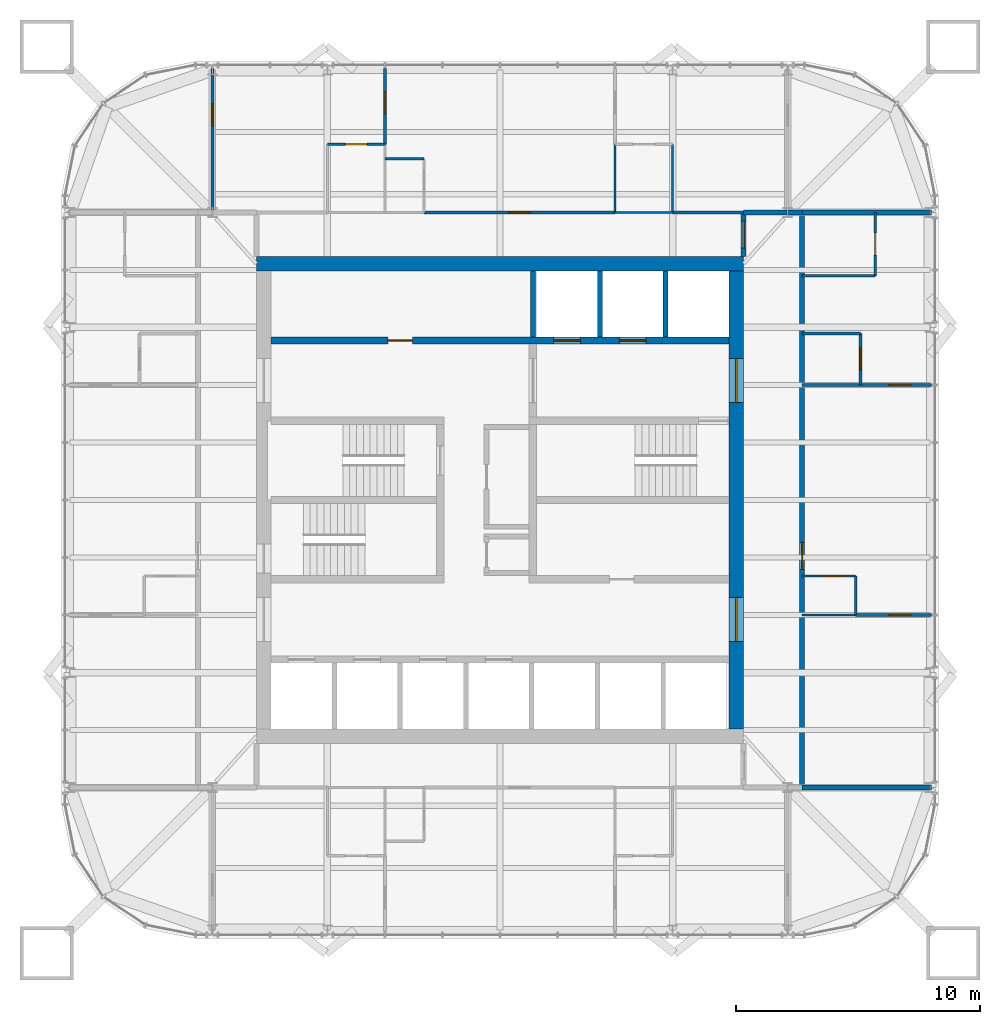
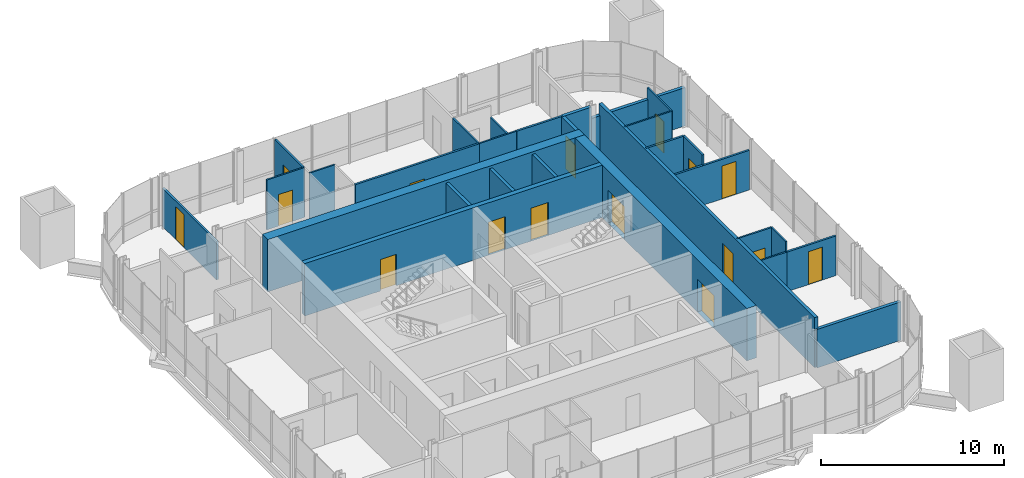
# One storey, part 15 of 17: 30 walls, 16 doors, 16 openings.
"""IFC4 building model written with IfcOpenShell, lengths in metres."""

from ifc_helpers import new_model, si_unit, direction, frame, frame_2d, origin, place, context, subcontext, project, spatial, rectangle, extrude, material, layer, layer_set, type_object, element, fill, save


model = new_model("IFC4")

# Units and contexts
model_context = context("Model", 3, precision=1e-05, world=origin(), true_north=direction((0.0, 1.0)))
body_context = subcontext(model_context, "Body", "Model", "MODEL_VIEW")
ifc_project = project(units=[si_unit("LENGTHUNIT", "METRE"), si_unit("AREAUNIT", "SQUARE_METRE"), si_unit("VOLUMEUNIT", "CUBIC_METRE"), si_unit("PLANEANGLEUNIT", "RADIAN"), si_unit("MASSUNIT", "GRAM", prefix="KILO")], contexts=[model_context])

# Site, building, storey
site_placement = place(None, origin())
site = spatial("IfcSite", under=ifc_project, at=site_placement, CompositionType="ELEMENT")
building_placement = place(site_placement, origin())
building = spatial("IfcBuilding", under=site, at=building_placement, Name="Turquesa Mirador Hotel Tower", CompositionType="ELEMENT")
storey_placement = place(building_placement, frame((0.0, 0.0, 258.199951171875)))
storey = spatial("IfcBuildingStorey", under=building, at=storey_placement, Name="L70", CompositionType="ELEMENT", Elevation=258.199951171875)

# Wall, opening, door
ifc_material_1 = material(Name="Gypsum board on steel studs", Category="steel")
ifc_layer_1 = layer(ifc_material_1, 0.10009765625)
ifc_layer_set_1 = layer_set([ifc_layer_1], Name="BATHROOM WALL 100")
wall_type_1 = type_object("IfcWallType", Name="BATHROOM WALL 100", PredefinedType="PARTITIONING", material=ifc_layer_set_1)
wall_1_placement = place(storey_placement, frame((67.39990234375, 41.8798828125, 0.0), z_axis=(0.0, 0.0, 1.0), x_axis=(1.0, 0.0, 0.0)))
wall_1 = element("IfcWall", 1, at=wall_1_placement, inside=storey, type_object=wall_type_1, Name="Partition L70 014", PredefinedType="PARTITIONING", context=body_context, shape_type="SweptSolid", body=[
    extrude(rectangle(XDim=2.2001953125, YDim=0.10009765625, at=frame_2d((1.10009765625, 0.0))), origin(), (0.0, 0.0, 1.0), 3.330078125),
])
opening_1_placement = place(wall_1_placement, frame((0.85009765625, 0.0, 0.0)))
opening_1 = element("IfcOpeningElement", 2, at=opening_1_placement, cuts=wall_1, Name="Opening D06", PredefinedType="OPENING", context=body_context, shape_type="SweptSolid", body=[
    extrude(rectangle(XDim=0.89990234375, YDim=2.10009765625, at=frame_2d((0.449951171875, 1.050048828125))), frame((0.0, 0.06005859375, 0.0), z_axis=(0.0, -1.0, 0.0), x_axis=(1.0, 0.0, 0.0)), (0.0, 0.0, 1.0), 0.1201171875),
])
ifc_material_2 = material(Name="Laminate door", Category="wood")
door_type_1 = type_object("IfcDoorType", Name="DOOR 900X2100 WC", OperationType="SINGLE_SWING_LEFT", PredefinedType="DOOR", material=ifc_material_2)
door_1_placement = place(opening_1_placement, origin())
door_1 = element("IfcDoor", 3, at=door_1_placement, inside=storey, type_object=door_type_1, Name="Door 7003W", OperationType="SINGLE_SWING_LEFT", OverallHeight=2.10009765625, OverallWidth=0.89990234375, PredefinedType="DOOR", context=body_context, shape_type="SweptSolid", body=[
    extrude(rectangle(XDim=0.89990234375, YDim=2.10009765625, at=frame_2d((0.449951171875, 1.050048828125))), frame((0.0, 0.02490234375, 0.0), z_axis=(0.0, -1.0, 0.0), x_axis=(1.0, 0.0, 0.0)), (0.0, 0.0, 1.0), 0.050048828125),
])
fill(opening_1, door_1)

# Walls
wall_2_placement = place(storey_placement, frame((67.39990234375, 40.280029296875, 0.0), z_axis=(0.0, 0.0, 1.0), x_axis=(1.0, 0.0, 0.0)))
element("IfcWall", 4, at=wall_2_placement, inside=storey, type_object=wall_type_1, Name="Partition L70 016", PredefinedType="PARTITIONING", context=body_context, shape_type="SweptSolid", body=[
    extrude(rectangle(XDim=2.2001953125, YDim=0.10009765625, at=frame_2d((1.10009765625, 0.0))), origin(), (0.0, 0.0, 1.0), 2.646728515625),
])
wall_3_placement = place(storey_placement, frame((59.719970703125, 56.800048828125, 0.0), z_axis=(0.0, 0.0, 1.0), x_axis=(1.0, 0.0, 0.0)))
element("IfcWall", 5, at=wall_3_placement, inside=storey, type_object=wall_type_1, Name="Partition L70 020", PredefinedType="PARTITIONING", context=body_context, shape_type="SweptSolid", body=[
    extrude(rectangle(XDim=2.360107421875, YDim=0.10009765625, at=frame_2d((1.18017578125, 0.0))), origin(), (0.0, 0.0, 1.0), 3.330078125),
])
wall_4_placement = place(storey_placement, frame((50.280029296875, 59.0, 0.0), z_axis=(0.0, 0.0, 1.0), x_axis=(1.0, 0.0, 0.0)))
element("IfcWall", 6, at=wall_4_placement, inside=storey, type_object=wall_type_1, Name="Partition L70 028", PredefinedType="PARTITIONING", context=body_context, shape_type="SweptSolid", body=[
    extrude(rectangle(XDim=1.599853515625, YDim=0.10009765625, at=frame_2d((0.7998046875, 0.0))), origin(), (0.0, 0.0, 1.0), 3.330078125),
])

# Wall, opening, door
wall_5_placement = place(storey_placement, frame((47.919921875, 59.60009765625, 0.0), z_axis=(0.0, 0.0, 1.0), x_axis=(1.0, 0.0, 0.0)))
wall_5 = element("IfcWall", 7, at=wall_5_placement, inside=storey, type_object=wall_type_1, Name="Partition L70 029", PredefinedType="PARTITIONING", context=body_context, shape_type="SweptSolid", body=[
    extrude(rectangle(XDim=2.360107421875, YDim=0.10009765625, at=frame_2d((1.18017578125, 0.0))), origin(), (0.0, 0.0, 1.0), 3.330078125),
])
opening_2_placement = place(wall_5_placement, frame((0.72998046875, 0.0, 0.0)))
opening_2 = element("IfcOpeningElement", 8, at=opening_2_placement, cuts=wall_5, Name="Opening D02", PredefinedType="OPENING", context=body_context, shape_type="SweptSolid", body=[
    extrude(rectangle(XDim=0.89990234375, YDim=2.10009765625, at=frame_2d((0.449951171875, 1.050048828125))), frame((0.0, 0.06005859375, 0.0), z_axis=(0.0, -1.0, 0.0), x_axis=(1.0, 0.0, 0.0)), (0.0, 0.0, 1.0), 0.1201171875),
])
ifc_material_3 = material(Name="Timber veneered door", Category="wood")
door_type_2 = type_object("IfcDoorType", Name="DOOR 900X2100 EN-SUITE", OperationType="SINGLE_SWING_RIGHT", PredefinedType="DOOR", material=ifc_material_3)
door_2_placement = place(opening_2_placement, origin())
door_2 = element("IfcDoor", 9, at=door_2_placement, inside=storey, type_object=door_type_2, Name="Door 7001B", OperationType="SINGLE_SWING_RIGHT", OverallHeight=2.10009765625, OverallWidth=0.89990234375, PredefinedType="DOOR", context=body_context, shape_type="SweptSolid", body=[
    extrude(rectangle(XDim=0.89990234375, YDim=2.10009765625, at=frame_2d((0.449951171875, 1.050048828125))), frame((0.0, 0.02490234375, 0.0), z_axis=(0.0, -1.0, 0.0), x_axis=(1.0, 0.0, 0.0)), (0.0, 0.0, 1.0), 0.050048828125),
])
fill(opening_2, door_2)

# Walls
wall_6_placement = place(storey_placement, frame((67.39990234375, 54.199951171875, 0.0), z_axis=(0.0, 0.0, 1.0), x_axis=(1.0, 0.0, 0.0)))
element("IfcWall", 10, at=wall_6_placement, inside=storey, type_object=wall_type_1, Name="Partition L70 036", PredefinedType="PARTITIONING", context=body_context, shape_type="SweptSolid", body=[
    extrude(rectangle(XDim=3.0, YDim=0.10009765625, at=frame_2d((1.5, 0.0))), origin(), (0.0, 0.0, 1.0), 3.330078125),
])
wall_7_placement = place(storey_placement, frame((69.60009765625, 40.280029296875, 0.0), z_axis=(0.0, 0.0, 1.0), x_axis=(0.0, 1.0, 0.0)))
element("IfcWall", 11, at=wall_7_placement, inside=storey, type_object=wall_type_1, Name="Partition L70 058", PredefinedType="PARTITIONING", context=body_context, shape_type="SweptSolid", body=[
    extrude(rectangle(XDim=1.599853515625, YDim=0.10009765625, at=frame_2d((0.7998046875, 0.0))), origin(), (0.0, 0.0, 1.0), 3.330078125),
])

# Wall, opening, door
wall_8_placement = place(storey_placement, frame((70.39990234375, 54.199951171875, 0.0), z_axis=(0.0, 0.0, 1.0), x_axis=(0.0, 1.0, 0.0)))
wall_8 = element("IfcWall", 12, at=wall_8_placement, inside=storey, type_object=wall_type_1, Name="Partition L70 060", PredefinedType="PARTITIONING", context=body_context, shape_type="SweptSolid", body=[
    extrude(rectangle(XDim=2.60009765625, YDim=0.10009765625, at=frame_2d((1.300048828125, 0.0))), origin(), (0.0, 0.0, 1.0), 3.330078125),
])
opening_3_placement = place(wall_8_placement, frame((0.85009765625, 0.0, 0.0)))
opening_3 = element("IfcOpeningElement", 13, at=opening_3_placement, cuts=wall_8, Name="Opening D02", PredefinedType="OPENING", context=body_context, shape_type="SweptSolid", body=[
    extrude(rectangle(XDim=0.89990234375, YDim=2.10009765625, at=frame_2d((0.449951171875, 1.050048828125))), frame((0.0, 0.06005859375, 0.0), z_axis=(0.0, -1.0, 0.0), x_axis=(1.0, 0.0, 0.0)), (0.0, 0.0, 1.0), 0.1201171875),
])
door_3_placement = place(opening_3_placement, origin())
door_3 = element("IfcDoor", 14, at=door_3_placement, inside=storey, type_object=door_type_2, Name="Door 7003B", OperationType="SINGLE_SWING_RIGHT", OverallHeight=2.10009765625, OverallWidth=0.89990234375, PredefinedType="DOOR", context=body_context, shape_type="SweptSolid", body=[
    extrude(rectangle(XDim=0.89990234375, YDim=2.10009765625, at=frame_2d((0.449951171875, 1.050048828125))), frame((0.0, 0.02490234375, 0.0), z_axis=(0.0, -1.0, 0.0), x_axis=(1.0, 0.0, 0.0)), (0.0, 0.0, 1.0), 0.050048828125),
])
fill(opening_3, door_3)

# Walls
wall_9_placement = place(storey_placement, frame((59.719970703125, 56.800048828125, 0.0), z_axis=(0.0, 0.0, 1.0), x_axis=(0.0, 1.0, 0.0)))
element("IfcWall", 15, at=wall_9_placement, inside=storey, type_object=wall_type_1, Name="Partition L70 062", PredefinedType="PARTITIONING", context=body_context, shape_type="SweptSolid", body=[
    extrude(rectangle(XDim=2.800048828125, YDim=0.10009765625, at=frame_2d((1.39990234375, 0.0))), origin(), (0.0, 0.0, 1.0), 3.330078125),
])
wall_10_placement = place(storey_placement, frame((62.080078125, 56.800048828125, 0.0), z_axis=(0.0, 0.0, 1.0), x_axis=(0.0, 1.0, 0.0)))
element("IfcWall", 16, at=wall_10_placement, inside=storey, type_object=wall_type_1, Name="Partition L70 066", PredefinedType="PARTITIONING", context=body_context, shape_type="SweptSolid", body=[
    extrude(rectangle(XDim=2.800048828125, YDim=0.10009765625, at=frame_2d((1.39990234375, 0.0))), origin(), (0.0, 0.0, 1.0), 2.568115234375),
])

# Wall, openings, doors
ifc_material_4 = material(Name="Concrete C50/60", Category="concrete")
ifc_layer_2 = layer(ifc_material_4, 0.300048828125)
ifc_layer_set_2 = layer_set([ifc_layer_2], Name="CORE INNER WALL 300")
wall_type_2 = type_object("IfcWallType", Name="CORE INNER WALL 300", PredefinedType="SHEAR", material=ifc_layer_set_2)
wall_11_placement = place(storey_placement, frame((45.60009765625, 51.550048828125, 0.0), z_axis=(0.0, 0.0, 1.0), x_axis=(1.0, 0.0, 0.0)))
wall_11 = element("IfcWall", 17, at=wall_11_placement, inside=storey, type_object=wall_type_2, Name="Core wall NL", PredefinedType="SHEAR", context=body_context, shape_type="SweptSolid", body=[
    extrude(rectangle(XDim=18.7998046875, YDim=0.300048828125, at=frame_2d((9.39990234375, 0.0))), origin(), (0.0, 0.0, 1.0), 3.5),
])
opening_4_placement = place(wall_11_placement, frame((4.800048828125, 0.0, 0.0)))
opening_4 = element("IfcOpeningElement", 18, at=opening_4_placement, cuts=wall_11, Name="Opening D05", PredefinedType="OPENING", context=body_context, shape_type="SweptSolid", body=[
    extrude(rectangle(XDim=1.0, YDim=2.10009765625, at=frame_2d((0.5, 1.050048828125))), frame((0.0, 0.159912109375, 0.0), z_axis=(0.0, -1.0, 0.0), x_axis=(1.0, 0.0, 0.0)), (0.0, 0.0, 1.0), 0.320068359375),
])
opening_5_placement = place(wall_11_placement, frame((11.60009765625, 0.0, 0.0)))
opening_5 = element("IfcOpeningElement", 19, at=opening_5_placement, cuts=wall_11, Name="Opening LD", PredefinedType="OPENING", context=body_context, shape_type="SweptSolid", body=[
    extrude(rectangle(XDim=1.10009765625, YDim=2.199951171875, at=frame_2d((0.550048828125, 1.10009765625))), frame((0.0, 0.159912109375, 0.0), z_axis=(0.0, -1.0, 0.0), x_axis=(1.0, 0.0, 0.0)), (0.0, 0.0, 1.0), 0.320068359375),
])
opening_6_placement = place(wall_11_placement, frame((14.300048828125, 0.0, 0.0)))
opening_6 = element("IfcOpeningElement", 20, at=opening_6_placement, cuts=wall_11, Name="Opening LD", PredefinedType="OPENING", context=body_context, shape_type="SweptSolid", body=[
    extrude(rectangle(XDim=1.10009765625, YDim=2.199951171875, at=frame_2d((0.550048828125, 1.10009765625))), frame((0.0, 0.159912109375, 0.0), z_axis=(0.0, -1.0, 0.0), x_axis=(1.0, 0.0, 0.0)), (0.0, 0.0, 1.0), 0.320068359375),
])
ifc_material_5 = material(Name="Steel fire door", Category="steel")
door_type_3 = type_object("IfcDoorType", Name="DOOR 1000X2100 SERVICE", OperationType="SINGLE_SWING_LEFT", PredefinedType="DOOR", material=ifc_material_5)
door_4_placement = place(opening_4_placement, origin())
door_4 = element("IfcDoor", 21, at=door_4_placement, inside=storey, type_object=door_type_3, Name="Linen store door", OperationType="SINGLE_SWING_LEFT", OverallHeight=2.10009765625, OverallWidth=1.0, PredefinedType="DOOR", context=body_context, shape_type="SweptSolid", body=[
    extrude(rectangle(XDim=1.0, YDim=2.10009765625, at=frame_2d((0.5, 1.050048828125))), frame((0.0, 0.02490234375, 0.0), z_axis=(0.0, -1.0, 0.0), x_axis=(1.0, 0.0, 0.0)), (0.0, 0.0, 1.0), 0.050048828125),
])
fill(opening_4, door_4)
ifc_material_6 = material(Name="Stainless steel lift landing door", Category="steel")
door_type_4 = type_object("IfcDoorType", Name="LIFT LANDING DOOR 1100X2200", OperationType="SLIDING_TO_LEFT", PredefinedType="DOOR", material=ifc_material_6)
door_5_placement = place(opening_5_placement, origin())
door_5 = element("IfcDoor", 22, at=door_5_placement, inside=storey, type_object=door_type_4, Name="Lift S1 landing door", OperationType="SLIDING_TO_LEFT", OverallHeight=2.199951171875, OverallWidth=1.10009765625, PredefinedType="DOOR", context=body_context, shape_type="SweptSolid", body=[
    extrude(rectangle(XDim=1.10009765625, YDim=2.199951171875, at=frame_2d((0.550048828125, 1.10009765625))), frame((0.0, 0.02490234375, 0.0), z_axis=(0.0, -1.0, 0.0), x_axis=(1.0, 0.0, 0.0)), (0.0, 0.0, 1.0), 0.050048828125),
])
fill(opening_5, door_5)
door_6_placement = place(opening_6_placement, origin())
door_6 = element("IfcDoor", 23, at=door_6_placement, inside=storey, type_object=door_type_4, Name="Lift S2 landing door", OperationType="SLIDING_TO_LEFT", OverallHeight=2.199951171875, OverallWidth=1.10009765625, PredefinedType="DOOR", context=body_context, shape_type="SweptSolid", body=[
    extrude(rectangle(XDim=1.10009765625, YDim=2.199951171875, at=frame_2d((0.550048828125, 1.10009765625))), frame((0.0, 0.02490234375, 0.0), z_axis=(0.0, -1.0, 0.0), x_axis=(1.0, 0.0, 0.0)), (0.0, 0.0, 1.0), 0.050048828125),
])
fill(opening_6, door_6)

# Wall
ifc_material_7 = material(Name="Concrete C50/60", Category="concrete")
ifc_layer_3 = layer(ifc_material_7, 0.60009765625)
ifc_layer_set_3 = layer_set([ifc_layer_3], Name="CORE WALL 600")
wall_type_3 = type_object("IfcWallType", Name="CORE WALL 600", PredefinedType="SHEAR", material=ifc_layer_set_3)
wall_12_placement = place(storey_placement, frame((45.0, 54.699951171875, 0.0), z_axis=(0.0, 0.0, 1.0), x_axis=(1.0, 0.0, 0.0)))
element("IfcWall", 24, at=wall_12_placement, inside=storey, type_object=wall_type_3, Name="Core wall N", PredefinedType="SHEAR", context=body_context, shape_type="SweptSolid", body=[
    extrude(rectangle(XDim=20.0, YDim=0.60009765625, at=frame_2d((10.0, 0.0))), origin(), (0.0, 0.0, 1.0), 3.5),
])

# Wall, openings, doors
wall_13_placement = place(storey_placement, frame((64.699951171875, 35.60009765625, 0.0), z_axis=(0.0, 0.0, 1.0), x_axis=(0.0, 1.0, 0.0)))
wall_13 = element("IfcWall", 25, at=wall_13_placement, inside=storey, type_object=wall_type_3, Name="Core wall E", PredefinedType="SHEAR", context=body_context, shape_type="SweptSolid", body=[
    extrude(rectangle(XDim=18.7998046875, YDim=0.60009765625, at=frame_2d((9.39990234375, 0.0))), origin(), (0.0, 0.0, 1.0), 3.5),
])
opening_7_placement = place(wall_13_placement, frame((13.39990234375, 0.0, 0.0)))
opening_7 = element("IfcOpeningElement", 26, at=opening_7_placement, cuts=wall_13, Name="Opening D04", PredefinedType="OPENING", context=body_context, shape_type="SweptSolid", body=[
    extrude(rectangle(XDim=1.800048828125, YDim=2.199951171875, at=frame_2d((0.89990234375, 1.10009765625))), frame((0.0, 0.31005859375, 0.0), z_axis=(0.0, -1.0, 0.0), x_axis=(1.0, 0.0, 0.0)), (0.0, 0.0, 1.0), 0.6201171875),
])
opening_8_placement = place(wall_13_placement, frame((3.60009765625, 0.0, 0.0)))
opening_8 = element("IfcOpeningElement", 27, at=opening_8_placement, cuts=wall_13, Name="Opening D04", PredefinedType="OPENING", context=body_context, shape_type="SweptSolid", body=[
    extrude(rectangle(XDim=1.800048828125, YDim=2.199951171875, at=frame_2d((0.89990234375, 1.10009765625))), frame((0.0, 0.31005859375, 0.0), z_axis=(0.0, -1.0, 0.0), x_axis=(1.0, 0.0, 0.0)), (0.0, 0.0, 1.0), 0.6201171875),
])
ifc_material_8 = material(Name="Steel fire door pair", Category="steel")
door_type_5 = type_object("IfcDoorType", Name="DOOR 1800X2200 PAIR", OperationType="DOUBLE_DOOR_SINGLE_SWING", PredefinedType="DOOR", material=ifc_material_8)
door_7_placement = place(opening_7_placement, origin())
door_7 = element("IfcDoor", 28, at=door_7_placement, inside=storey, type_object=door_type_5, Name="Firefighting lobby door", OperationType="DOUBLE_DOOR_SINGLE_SWING", OverallHeight=2.199951171875, OverallWidth=1.800048828125, PredefinedType="DOOR", context=body_context, shape_type="SweptSolid", body=[
    extrude(rectangle(XDim=1.800048828125, YDim=2.199951171875, at=frame_2d((0.89990234375, 1.10009765625))), frame((0.0, 0.02490234375, 0.0), z_axis=(0.0, -1.0, 0.0), x_axis=(1.0, 0.0, 0.0)), (0.0, 0.0, 1.0), 0.050048828125),
])
fill(opening_7, door_7)
door_8_placement = place(opening_8_placement, origin())
door_8 = element("IfcDoor", 29, at=door_8_placement, inside=storey, type_object=door_type_5, Name="South lift lobby door", OperationType="DOUBLE_DOOR_SINGLE_SWING", OverallHeight=2.199951171875, OverallWidth=1.800048828125, PredefinedType="DOOR", context=body_context, shape_type="SweptSolid", body=[
    extrude(rectangle(XDim=1.800048828125, YDim=2.199951171875, at=frame_2d((0.89990234375, 1.10009765625))), frame((0.0, 0.02490234375, 0.0), z_axis=(0.0, -1.0, 0.0), x_axis=(1.0, 0.0, 0.0)), (0.0, 0.0, 1.0), 0.050048828125),
])
fill(opening_8, door_8)

# Wall
ifc_material_9 = material(Name="Fire-rated gypsum board on steel studs", Category="steel")
ifc_layer_4 = layer(ifc_material_9, 0.199951171875)
ifc_layer_set_4 = layer_set([ifc_layer_4], Name="CORRIDOR WALL 200")
wall_type_4 = type_object("IfcWallType", Name="CORRIDOR WALL 200", PredefinedType="PARTITIONING", material=ifc_layer_set_4)
wall_14_placement = place(storey_placement, frame((65.0, 56.800048828125, 0.0), z_axis=(0.0, 0.0, 1.0), x_axis=(1.0, 0.0, 0.0)))
element("IfcWall", 30, at=wall_14_placement, inside=storey, type_object=wall_type_4, Name="Partition L70 022", PredefinedType="PARTITIONING", context=body_context, shape_type="SweptSolid", body=[
    extrude(rectangle(XDim=1.780029296875, YDim=0.199951171875, at=frame_2d((0.89013671875, 0.0))), origin(), (0.0, 0.0, 1.0), 3.330078125),
])

# Wall, opening, door
wall_15_placement = place(storey_placement, frame((65.0, 55.0, 0.0), z_axis=(0.0, 0.0, 1.0), x_axis=(0.0, 1.0, 0.0)))
wall_15 = element("IfcWall", 31, at=wall_15_placement, inside=storey, type_object=wall_type_4, Name="Partition L70 054", PredefinedType="PARTITIONING", context=body_context, shape_type="SweptSolid", body=[
    extrude(rectangle(XDim=1.800048828125, YDim=0.199951171875, at=frame_2d((0.89990234375, 0.0))), origin(), (0.0, 0.0, 1.0), 3.330078125),
])
opening_9_placement = place(wall_15_placement, frame((0.35009765625, 0.0, 0.0)))
opening_9 = element("IfcOpeningElement", 32, at=opening_9_placement, cuts=wall_15, Name="Opening D15", PredefinedType="OPENING", context=body_context, shape_type="SweptSolid", body=[
    extrude(rectangle(XDim=1.10009765625, YDim=2.199951171875, at=frame_2d((0.550048828125, 1.10009765625))), frame((0.0, 0.10986328125, 0.0), z_axis=(0.0, -1.0, 0.0), x_axis=(1.0, 0.0, 0.0)), (0.0, 0.0, 1.0), 0.219970703125),
])
ifc_material_10 = material(Name="Timber veneered fire door", Category="wood")
door_type_6 = type_object("IfcDoorType", Name="DOOR 1100X2200 SUITE ENTRY", OperationType="SINGLE_SWING_LEFT", PredefinedType="DOOR", material=ifc_material_10)
door_9_placement = place(opening_9_placement, origin())
door_9 = element("IfcDoor", 33, at=door_9_placement, inside=storey, type_object=door_type_6, Name="Door 7001G", OperationType="SINGLE_SWING_LEFT", OverallHeight=2.199951171875, OverallWidth=1.10009765625, PredefinedType="DOOR", context=body_context, shape_type="SweptSolid", body=[
    extrude(rectangle(XDim=1.10009765625, YDim=2.199951171875, at=frame_2d((0.550048828125, 1.10009765625))), frame((0.0, 0.02490234375, 0.0), z_axis=(0.0, -1.0, 0.0), x_axis=(1.0, 0.0, 0.0)), (0.0, 0.0, 1.0), 0.050048828125),
])
fill(opening_9, door_9)

wall_16_placement = place(storey_placement, frame((67.39990234375, 33.199951171875, 0.0), z_axis=(0.0, 0.0, 1.0), x_axis=(0.0, 1.0, 0.0)))
wall_16 = element("IfcWall", 34, at=wall_16_placement, inside=storey, type_object=wall_type_4, Name="Partition L70 057", PredefinedType="PARTITIONING", context=body_context, shape_type="SweptSolid", body=[
    extrude(rectangle(XDim=23.60009765625, YDim=0.199951171875, at=frame_2d((11.800048828125, 0.0))), origin(), (0.0, 0.0, 1.0), 3.330078125),
])
opening_10_placement = place(wall_16_placement, frame((8.949951171875, 0.0, 0.0)))
opening_10 = element("IfcOpeningElement", 35, at=opening_10_placement, cuts=wall_16, Name="Opening D15", PredefinedType="OPENING", context=body_context, shape_type="SweptSolid", body=[
    extrude(rectangle(XDim=1.10009765625, YDim=2.199951171875, at=frame_2d((0.550048828125, 1.10009765625))), frame((0.0, 0.10986328125, 0.0), z_axis=(0.0, -1.0, 0.0), x_axis=(1.0, 0.0, 0.0)), (0.0, 0.0, 1.0), 0.219970703125),
])
door_10_placement = place(opening_10_placement, origin())
door_10 = element("IfcDoor", 36, at=door_10_placement, inside=storey, type_object=door_type_6, Name="Door 7003", OperationType="SINGLE_SWING_LEFT", OverallHeight=2.199951171875, OverallWidth=1.10009765625, PredefinedType="DOOR", context=body_context, shape_type="SweptSolid", body=[
    extrude(rectangle(XDim=1.10009765625, YDim=2.199951171875, at=frame_2d((0.550048828125, 1.10009765625))), frame((0.0, 0.02490234375, 0.0), z_axis=(0.0, -1.0, 0.0), x_axis=(1.0, 0.0, 0.0)), (0.0, 0.0, 1.0), 0.050048828125),
])
fill(opening_10, door_10)

# Walls
wall_17_placement = place(storey_placement, frame((66.780029296875, 56.800048828125, 0.0), z_axis=(0.0, 0.0, 1.0), x_axis=(1.0, 0.0, 0.0)))
element("IfcWall", 37, at=wall_17_placement, inside=storey, type_object=wall_type_4, Name="Partition L70 070", PredefinedType="PARTITIONING", context=body_context, shape_type="SweptSolid", body=[
    extrude(rectangle(XDim=0.619873046875, YDim=0.199951171875, at=frame_2d((0.31005859375, 0.0))), origin(), (0.0, 0.0, 1.0), 2.568115234375),
])
ifc_material_11 = material(Name="Fire-rated gypsum shaft wall on steel studs", Category="steel")
ifc_layer_5 = layer(ifc_material_11, 0.199951171875)
ifc_layer_set_5 = layer_set([ifc_layer_5], Name="LIFT SHAFT DIVIDER 200")
wall_type_5 = type_object("IfcWallType", Name="LIFT SHAFT DIVIDER 200", PredefinedType="PARTITIONING", material=ifc_layer_set_5)
for number, where, z_axis, x_axis, name in (
    (38, (59.10009765625, 51.699951171875, 0.0), (0.0, 0.0, 1.0), (0.0, 1.0, 0.0), "Lift shaft divider"),
    (39, (61.800048828125, 51.699951171875, 0.0), (0.0, 0.0, 1.0), (0.0, 1.0, 0.0), "Lift shaft divider"),
    (40, (56.35009765625, 51.699951171875, 0.0), (0.0, 0.0, 1.0), (0.0, 1.0, 0.0), "Lift shaft divider"),
):
    element("IfcWall", number, at=place(storey_placement, frame(where, z_axis=z_axis, x_axis=x_axis)), inside=storey, type_object=wall_type_5, Name=name, PredefinedType="PARTITIONING", context=body_context, shape_type="SweptSolid", body=[
        extrude(rectangle(XDim=2.699951171875, YDim=0.199951171875, at=frame_2d((1.35009765625, 0.0))), origin(), (0.0, 0.0, 1.0), 3.330078125),
    ])
ifc_material_12 = material(Name="Fire-rated gypsum board on steel studs", Category="steel")
ifc_layer_6 = layer(ifc_material_12, 0.199951171875)
ifc_layer_set_6 = layer_set([ifc_layer_6], Name="PARTY WALL 200")
wall_type_6 = type_object("IfcWallType", Name="PARTY WALL 200", PredefinedType="PARTITIONING", material=ifc_layer_set_6)
for number, where, z_axis, x_axis, name in (
    (41, (67.39990234375, 33.199951171875, 0.0), (0.0, 0.0, 1.0), (1.0, 0.0, 0.0), "Partition L70 006"),
    (42, (67.39990234375, 56.800048828125, 0.0), (0.0, 0.0, 1.0), (1.0, 0.0, 0.0), "Partition L70 024"),
):
    element("IfcWall", number, at=place(storey_placement, frame(where, z_axis=z_axis, x_axis=x_axis)), inside=storey, type_object=wall_type_6, Name=name, PredefinedType="PARTITIONING", context=body_context, shape_type="SweptSolid", body=[
        extrude(rectangle(XDim=5.300048828125, YDim=0.199951171875, at=frame_2d((2.64990234375, 0.0))), origin(), (0.0, 0.0, 1.0), 2.568115234375),
    ])

# Wall, opening, door
ifc_material_13 = material(Name="Acoustic gypsum board on steel studs", Category="steel")
ifc_layer_7 = layer(ifc_material_13, 0.125)
ifc_layer_set_7 = layer_set([ifc_layer_7], Name="SUITE PARTITION 125")
wall_type_7 = type_object("IfcWallType", Name="SUITE PARTITION 125", PredefinedType="PARTITIONING", material=ifc_layer_set_7)
wall_18_placement = place(storey_placement, frame((69.60009765625, 40.280029296875, 0.0), z_axis=(0.0, 0.0, 1.0), x_axis=(1.0, 0.0, 0.0)))
wall_18 = element("IfcWall", 43, at=wall_18_placement, inside=storey, type_object=wall_type_7, Name="Partition L70 018", PredefinedType="PARTITIONING", context=body_context, shape_type="SweptSolid", body=[
    extrude(rectangle(XDim=3.099853515625, YDim=0.125, at=frame_2d((1.5498046875, 0.0))), origin(), (0.0, 0.0, 1.0), 2.646728515625),
])
opening_11_placement = place(wall_18_placement, frame((1.35009765625, 0.0, 0.0)))
opening_11 = element("IfcOpeningElement", 44, at=opening_11_placement, cuts=wall_18, Name="Opening D17", PredefinedType="OPENING", context=body_context, shape_type="SweptSolid", body=[
    extrude(rectangle(XDim=0.89990234375, YDim=2.199951171875, at=frame_2d((0.449951171875, 1.10009765625))), frame((0.0, 0.072509765625, 0.0), z_axis=(0.0, -1.0, 0.0), x_axis=(1.0, 0.0, 0.0)), (0.0, 0.0, 1.0), 0.14501953125),
])
ifc_material_14 = material(Name="Timber veneered door", Category="wood")
door_type_7 = type_object("IfcDoorType", Name="DOOR 900X2200 SUITE INTERNAL", OperationType="SINGLE_SWING_LEFT", PredefinedType="DOOR", material=ifc_material_14)
door_11_placement = place(opening_11_placement, origin())
door_11 = element("IfcDoor", 45, at=door_11_placement, inside=storey, type_object=door_type_7, Name="Door 7003M", OperationType="SINGLE_SWING_LEFT", OverallHeight=2.199951171875, OverallWidth=0.89990234375, PredefinedType="DOOR", context=body_context, shape_type="SweptSolid", body=[
    extrude(rectangle(XDim=0.89990234375, YDim=2.199951171875, at=frame_2d((0.449951171875, 1.10009765625))), frame((0.0, 0.02490234375, 0.0), z_axis=(0.0, -1.0, 0.0), x_axis=(1.0, 0.0, 0.0)), (0.0, 0.0, 1.0), 0.050048828125),
])
fill(opening_11, door_11)

wall_19_placement = place(storey_placement, frame((51.8798828125, 56.800048828125, 0.0), z_axis=(0.0, 0.0, 1.0), x_axis=(1.0, 0.0, 0.0)))
wall_19 = element("IfcWall", 46, at=wall_19_placement, inside=storey, type_object=wall_type_7, Name="Partition L70 026", PredefinedType="PARTITIONING", context=body_context, shape_type="SweptSolid", body=[
    extrude(rectangle(XDim=7.840087890625, YDim=0.125, at=frame_2d((3.919921875, 0.0))), origin(), (0.0, 0.0, 1.0), 3.330078125),
])
opening_12_placement = place(wall_19_placement, frame((3.469970703125, 0.0, 0.0)))
opening_12 = element("IfcOpeningElement", 47, at=opening_12_placement, cuts=wall_19, Name="Opening D17", PredefinedType="OPENING", context=body_context, shape_type="SweptSolid", body=[
    extrude(rectangle(XDim=0.89990234375, YDim=2.199951171875, at=frame_2d((0.449951171875, 1.10009765625))), frame((0.0, 0.072509765625, 0.0), z_axis=(0.0, -1.0, 0.0), x_axis=(1.0, 0.0, 0.0)), (0.0, 0.0, 1.0), 0.14501953125),
])
door_12_placement = place(opening_12_placement, origin())
door_12 = element("IfcDoor", 48, at=door_12_placement, inside=storey, type_object=door_type_7, Name="Door 7001", OperationType="SINGLE_SWING_LEFT", OverallHeight=2.199951171875, OverallWidth=0.89990234375, PredefinedType="DOOR", context=body_context, shape_type="SweptSolid", body=[
    extrude(rectangle(XDim=0.89990234375, YDim=2.199951171875, at=frame_2d((0.449951171875, 1.10009765625))), frame((0.0, 0.02490234375, 0.0), z_axis=(0.0, -1.0, 0.0), x_axis=(1.0, 0.0, 0.0)), (0.0, 0.0, 1.0), 0.050048828125),
])
fill(opening_12, door_12)

# Wall
wall_20_placement = place(storey_placement, frame((62.080078125, 56.800048828125, 0.0), z_axis=(0.0, 0.0, 1.0), x_axis=(1.0, 0.0, 0.0)))
element("IfcWall", 49, at=wall_20_placement, inside=storey, type_object=wall_type_7, Name="Partition L70 027", PredefinedType="PARTITIONING", context=body_context, shape_type="SweptSolid", body=[
    extrude(rectangle(XDim=2.919921875, YDim=0.125, at=frame_2d((1.4599609375, 0.0))), origin(), (0.0, 0.0, 1.0), 3.330078125),
])

# Wall, opening, door
wall_21_placement = place(storey_placement, frame((67.39990234375, 49.719970703125, 0.0), z_axis=(0.0, 0.0, 1.0), x_axis=(1.0, 0.0, 0.0)))
wall_21 = element("IfcWall", 50, at=wall_21_placement, inside=storey, type_object=wall_type_7, Name="Partition L70 032", PredefinedType="PARTITIONING", context=body_context, shape_type="SweptSolid", body=[
    extrude(rectangle(XDim=5.300048828125, YDim=0.125, at=frame_2d((2.64990234375, 0.0))), origin(), (0.0, 0.0, 1.0), 2.646728515625),
])
opening_13_placement = place(wall_21_placement, frame((3.550048828125, 0.0, 0.0)))
opening_13 = element("IfcOpeningElement", 51, at=opening_13_placement, cuts=wall_21, Name="Opening D17", PredefinedType="OPENING", context=body_context, shape_type="SweptSolid", body=[
    extrude(rectangle(XDim=0.89990234375, YDim=2.199951171875, at=frame_2d((0.449951171875, 1.10009765625))), frame((0.0, 0.072509765625, 0.0), z_axis=(0.0, -1.0, 0.0), x_axis=(1.0, 0.0, 0.0)), (0.0, 0.0, 1.0), 0.14501953125),
])
door_13_placement = place(opening_13_placement, origin())
door_13 = element("IfcDoor", 52, at=door_13_placement, inside=storey, type_object=door_type_7, Name="Door 7003R", OperationType="SINGLE_SWING_LEFT", OverallHeight=2.199951171875, OverallWidth=0.89990234375, PredefinedType="DOOR", context=body_context, shape_type="SweptSolid", body=[
    extrude(rectangle(XDim=0.89990234375, YDim=2.199951171875, at=frame_2d((0.449951171875, 1.10009765625))), frame((0.0, 0.02490234375, 0.0), z_axis=(0.0, -1.0, 0.0), x_axis=(1.0, 0.0, 0.0)), (0.0, 0.0, 1.0), 0.050048828125),
])
fill(opening_13, door_13)

# Wall
wall_22_placement = place(storey_placement, frame((67.39990234375, 51.840087890625, 0.0), z_axis=(0.0, 0.0, 1.0), x_axis=(1.0, 0.0, 0.0)))
element("IfcWall", 53, at=wall_22_placement, inside=storey, type_object=wall_type_7, Name="Partition L70 034", PredefinedType="PARTITIONING", context=body_context, shape_type="SweptSolid", body=[
    extrude(rectangle(XDim=2.400146484375, YDim=0.125, at=frame_2d((1.2001953125, 0.0))), origin(), (0.0, 0.0, 1.0), 3.330078125),
])

# Wall, opening, door
wall_23_placement = place(storey_placement, frame((43.199951171875, 56.800048828125, 0.0), z_axis=(0.0, 0.0, 1.0), x_axis=(0.0, 1.0, 0.0)))
wall_23 = element("IfcWall", 54, at=wall_23_placement, inside=storey, type_object=wall_type_7, Name="Partition L70 040", PredefinedType="PARTITIONING", context=body_context, shape_type="SweptSolid", body=[
    extrude(rectangle(XDim=5.89990234375, YDim=0.125, at=frame_2d((2.949951171875, 0.0))), origin(), (0.0, 0.0, 1.0), 2.568115234375),
])
opening_14_placement = place(wall_23_placement, frame((3.550048828125, 0.0, 0.0)))
opening_14 = element("IfcOpeningElement", 55, at=opening_14_placement, cuts=wall_23, Name="Opening D17", PredefinedType="OPENING", context=body_context, shape_type="SweptSolid", body=[
    extrude(rectangle(XDim=0.89990234375, YDim=2.199951171875, at=frame_2d((0.449951171875, 1.10009765625))), frame((0.0, 0.072509765625, 0.0), z_axis=(0.0, -1.0, 0.0), x_axis=(1.0, 0.0, 0.0)), (0.0, 0.0, 1.0), 0.14501953125),
])
door_14_placement = place(opening_14_placement, origin())
door_14 = element("IfcDoor", 56, at=door_14_placement, inside=storey, type_object=door_type_7, Name="Door 7001T", OperationType="SINGLE_SWING_LEFT", OverallHeight=2.199951171875, OverallWidth=0.89990234375, PredefinedType="DOOR", context=body_context, shape_type="SweptSolid", body=[
    extrude(rectangle(XDim=0.89990234375, YDim=2.199951171875, at=frame_2d((0.449951171875, 1.10009765625))), frame((0.0, 0.02490234375, 0.0), z_axis=(0.0, -1.0, 0.0), x_axis=(1.0, 0.0, 0.0)), (0.0, 0.0, 1.0), 0.050048828125),
])
fill(opening_14, door_14)

wall_24_placement = place(storey_placement, frame((50.280029296875, 59.60009765625, 0.0), z_axis=(0.0, 0.0, 1.0), x_axis=(0.0, 1.0, 0.0)))
wall_24 = element("IfcWall", 57, at=wall_24_placement, inside=storey, type_object=wall_type_7, Name="Partition L70 050", PredefinedType="PARTITIONING", context=body_context, shape_type="SweptSolid", body=[
    extrude(rectangle(XDim=3.099853515625, YDim=0.125, at=frame_2d((1.5498046875, 0.0))), origin(), (0.0, 0.0, 1.0), 3.330078125),
])
opening_15_placement = place(wall_24_placement, frame((1.25, 0.0, 0.0)))
opening_15 = element("IfcOpeningElement", 58, at=opening_15_placement, cuts=wall_24, Name="Opening D17", PredefinedType="OPENING", context=body_context, shape_type="SweptSolid", body=[
    extrude(rectangle(XDim=0.89990234375, YDim=2.199951171875, at=frame_2d((0.449951171875, 1.10009765625))), frame((0.0, 0.072509765625, 0.0), z_axis=(0.0, -1.0, 0.0), x_axis=(1.0, 0.0, 0.0)), (0.0, 0.0, 1.0), 0.14501953125),
])
door_15_placement = place(opening_15_placement, origin())
door_15 = element("IfcDoor", 59, at=door_15_placement, inside=storey, type_object=door_type_7, Name="Door 7001R", OperationType="SINGLE_SWING_LEFT", OverallHeight=2.199951171875, OverallWidth=0.89990234375, PredefinedType="DOOR", context=body_context, shape_type="SweptSolid", body=[
    extrude(rectangle(XDim=0.89990234375, YDim=2.199951171875, at=frame_2d((0.449951171875, 1.10009765625))), frame((0.0, 0.02490234375, 0.0), z_axis=(0.0, -1.0, 0.0), x_axis=(1.0, 0.0, 0.0)), (0.0, 0.0, 1.0), 0.050048828125),
])
fill(opening_15, door_15)

wall_25_placement = place(storey_placement, frame((69.800048828125, 49.719970703125, 0.0), z_axis=(0.0, 0.0, 1.0), x_axis=(0.0, 1.0, 0.0)))
wall_25 = element("IfcWall", 60, at=wall_25_placement, inside=storey, type_object=wall_type_7, Name="Partition L70 059", PredefinedType="PARTITIONING", context=body_context, shape_type="SweptSolid", body=[
    extrude(rectangle(XDim=2.1201171875, YDim=0.125, at=frame_2d((1.06005859375, 0.0))), origin(), (0.0, 0.0, 1.0), 3.330078125),
])
opening_16_placement = place(wall_25_placement, frame((0.610107421875, 0.0, 0.0)))
opening_16 = element("IfcOpeningElement", 61, at=opening_16_placement, cuts=wall_25, Name="Opening D17", PredefinedType="OPENING", context=body_context, shape_type="SweptSolid", body=[
    extrude(rectangle(XDim=0.89990234375, YDim=2.199951171875, at=frame_2d((0.449951171875, 1.10009765625))), frame((0.0, 0.072509765625, 0.0), z_axis=(0.0, -1.0, 0.0), x_axis=(1.0, 0.0, 0.0)), (0.0, 0.0, 1.0), 0.14501953125),
])
door_16_placement = place(opening_16_placement, origin())
door_16 = element("IfcDoor", 62, at=door_16_placement, inside=storey, type_object=door_type_7, Name="Door 7003D", OperationType="SINGLE_SWING_LEFT", OverallHeight=2.199951171875, OverallWidth=0.89990234375, PredefinedType="DOOR", context=body_context, shape_type="SweptSolid", body=[
    extrude(rectangle(XDim=0.89990234375, YDim=2.199951171875, at=frame_2d((0.449951171875, 1.10009765625))), frame((0.0, 0.02490234375, 0.0), z_axis=(0.0, -1.0, 0.0), x_axis=(1.0, 0.0, 0.0)), (0.0, 0.0, 1.0), 0.050048828125),
])
fill(opening_16, door_16)

save(model, "model.ifc")
